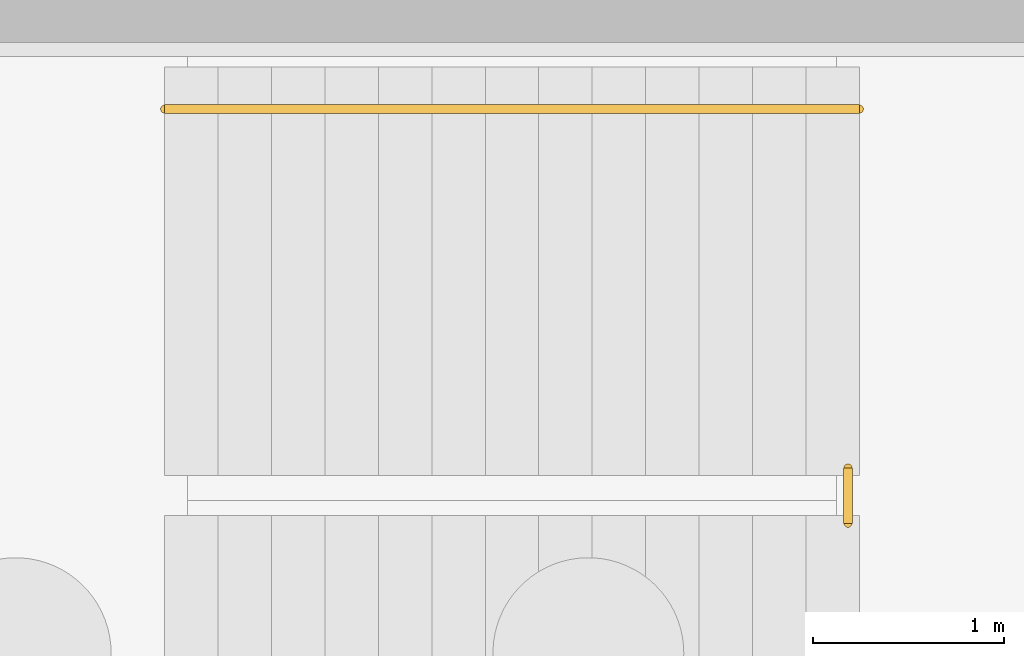
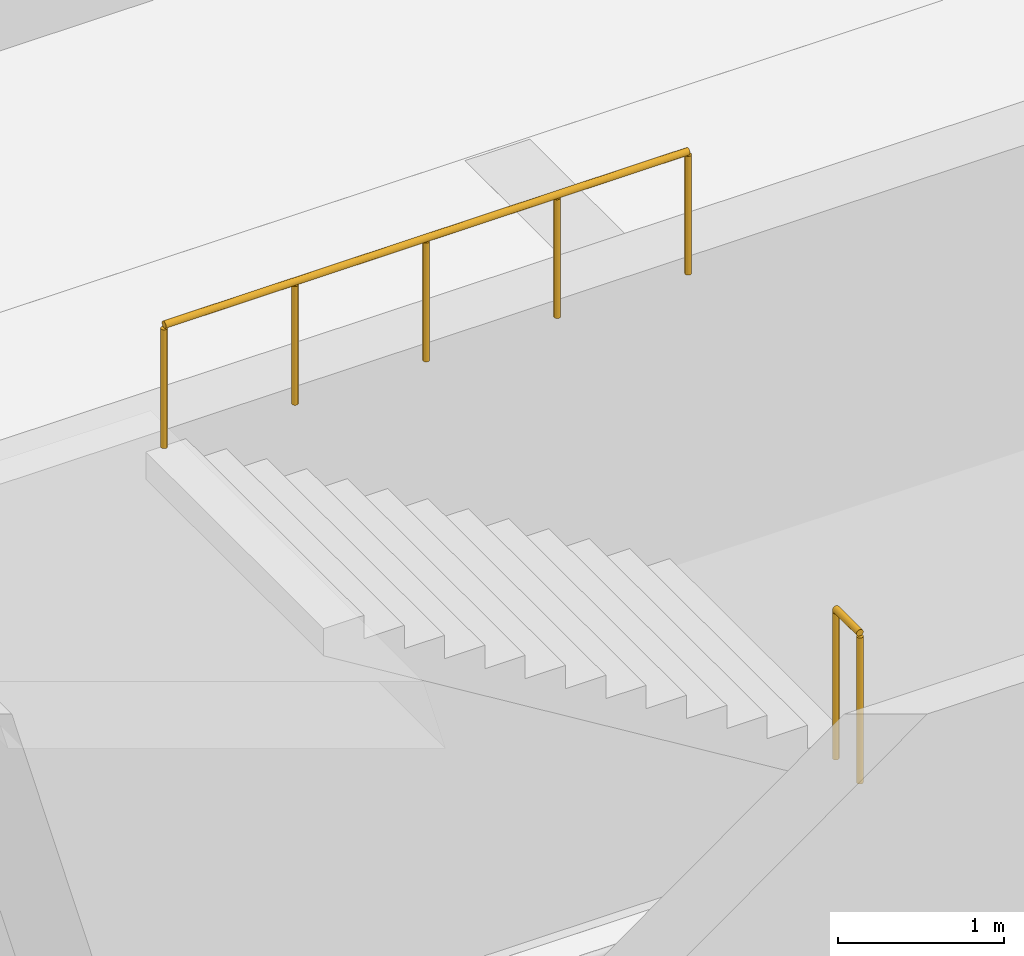
# One storey, part 23 of 25: 2 railings.
"""IFC4 building model written with IfcOpenShell, lengths in metres."""

from ifc_helpers import new_model, si_unit, direction, frame, origin, origin_2d, place, context, subcontext, project, spatial, circle, extrude, material, type_object, element, save


model = new_model("IFC4")

# Units and contexts
model_context = context("Model", 3, precision=1e-05, world=origin(), true_north=direction((0.0, 1.0)))
body_context = subcontext(model_context, "Body", "Model", "MODEL_VIEW")
ifc_project = project(units=[si_unit("LENGTHUNIT", "METRE"), si_unit("AREAUNIT", "SQUARE_METRE"), si_unit("VOLUMEUNIT", "CUBIC_METRE"), si_unit("PLANEANGLEUNIT", "RADIAN"), si_unit("MASSUNIT", "GRAM", prefix="KILO")], contexts=[model_context])

# Site, building, storey
site_placement = place(None, origin())
site = spatial("IfcSite", under=ifc_project, at=site_placement, CompositionType="ELEMENT")
building_placement = place(site_placement, origin())
building = spatial("IfcBuilding", under=site, at=building_placement, Name="Solvikara Media Centre", CompositionType="ELEMENT")
storey_placement = place(building_placement, frame((0.0, 0.0, -4.800048828125)))
storey = spatial("IfcBuildingStorey", under=building, at=storey_placement, Name="B01", CompositionType="ELEMENT", Elevation=-4.800048828125)

# Railings
ifc_material = material(Name="Steel S355JR", Category="steel")
railing_type_1 = type_object("IfcRailingType", Name="GR-02", PredefinedType="BALUSTRADE", material=ifc_material)
railing_1_placement = place(storey_placement, frame((133.360107421875, 34.080078125, 2.400146484375)))
element("IfcRailing", 1, at=railing_1_placement, inside=storey, type_object=railing_type_1, Name="GR-C4-B01-M", PredefinedType="BALUSTRADE", context=body_context, shape_type="SweptSolid", body=[
    extrude(circle(Radius=0.02392578125, at=origin_2d()), frame((0.0, 0.0, 1.09619140625), z_axis=(0.0, 1.0, 0.0), x_axis=(-1.0, 0.0, 0.0)), (0.0, 0.0, 1.0), 0.2900390625),
    extrude(circle(Radius=0.02099609375, at=origin_2d()), origin(), (0.0, 0.0, 1.0), 1.072021484375),
    extrude(circle(Radius=0.02099609375, at=origin_2d()), frame((0.0, 0.2900390625, 0.0)), (0.0, 0.0, 1.0), 1.072021484375),
])
railing_type_2 = type_object("IfcRailingType", Name="HR-01", PredefinedType="HANDRAIL", material=ifc_material)
railing_2_placement = place(storey_placement, frame((133.419921875, 36.25, 4.800048828125)))
element("IfcRailing", 2, at=railing_2_placement, inside=storey, type_object=railing_type_2, Name="HR-C4-B01-2", PredefinedType="HANDRAIL", context=body_context, shape_type="SweptSolid", body=[
    extrude(circle(Radius=0.02392578125, at=origin_2d()), frame((0.0, 0.0, 0.89599609375), z_axis=(-1.0, 0.0, 0.0), x_axis=(0.0, -1.0, 0.0)), (0.0, 0.0, 1.0), 3.639892578125),
    extrude(circle(Radius=0.02099609375, at=origin_2d()), origin(), (0.0, 0.0, 1.0), 0.871826171875),
    extrude(circle(Radius=0.02099609375, at=origin_2d()), frame((-0.909912109375, 0.0, 0.0)), (0.0, 0.0, 1.0), 0.871826171875),
    extrude(circle(Radius=0.02099609375, at=origin_2d()), frame((-1.81982421875, 0.0, 0.0)), (0.0, 0.0, 1.0), 0.871826171875),
    extrude(circle(Radius=0.02099609375, at=origin_2d()), frame((-2.72998046875, 0.0, 0.0)), (0.0, 0.0, 1.0), 0.871826171875),
    extrude(circle(Radius=0.02099609375, at=origin_2d()), frame((-3.639892578125, 0.0, 0.0)), (0.0, 0.0, 1.0), 0.871826171875),
])

save(model, "model.ifc")
